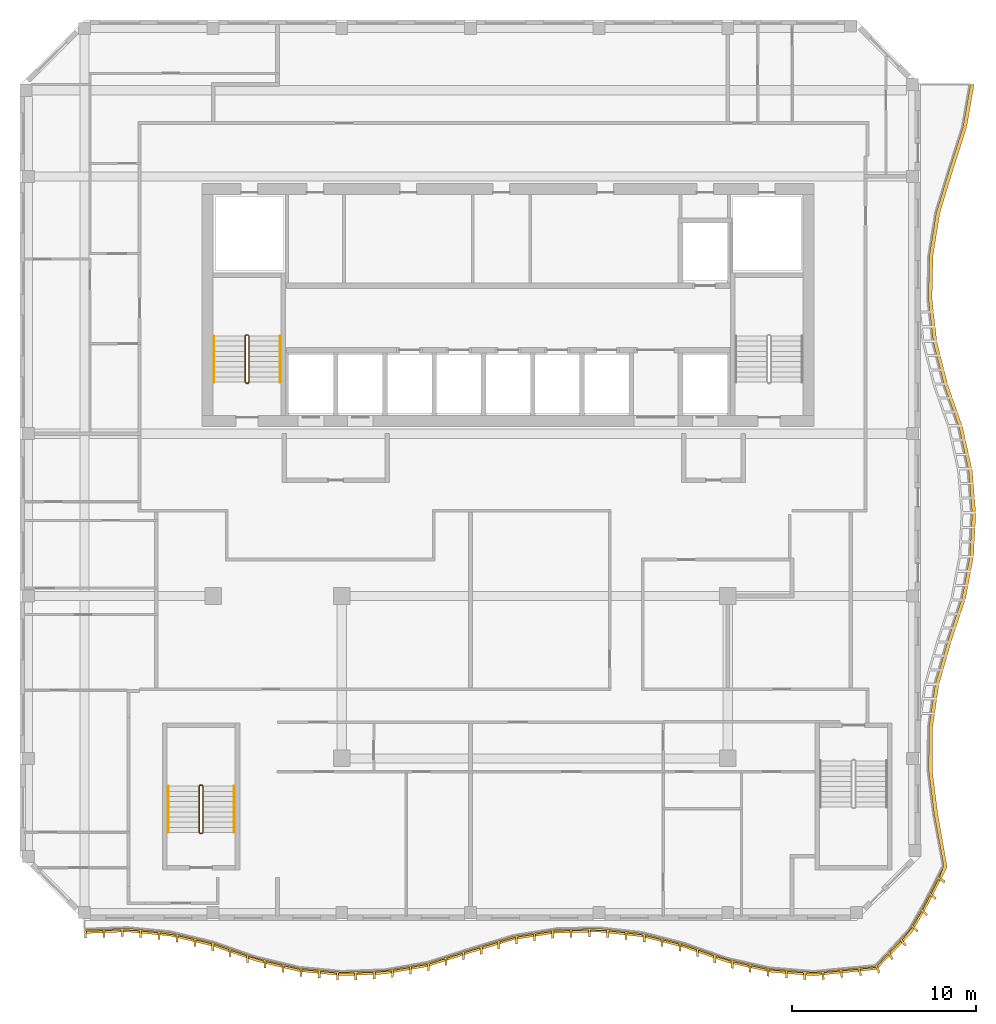
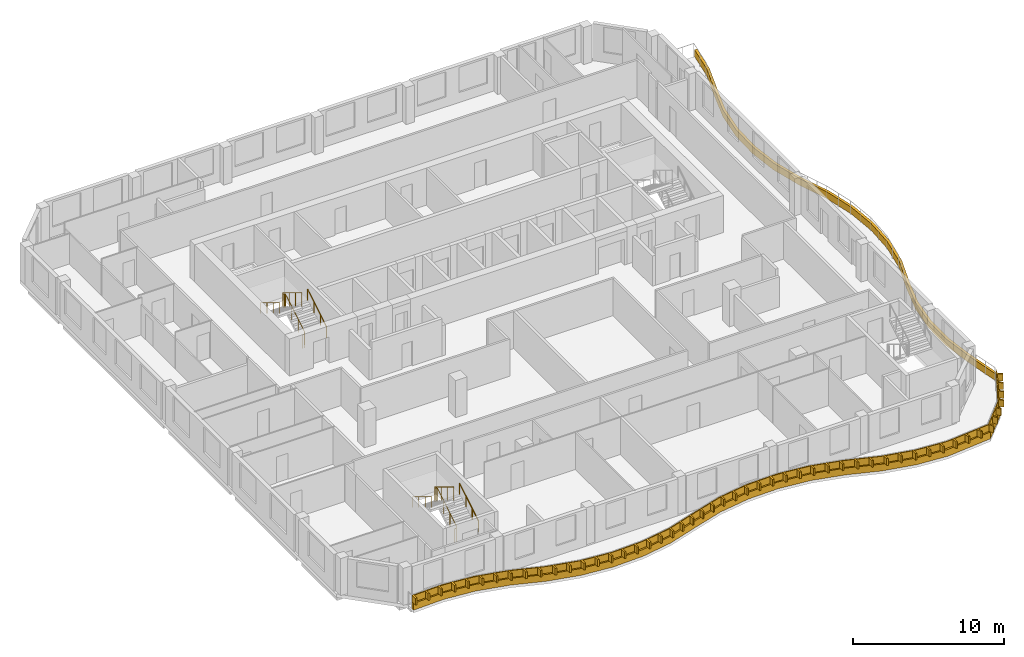
# One storey, part 11 of 13: 6 railings, 2 shading devices.
"""IFC4 building model written with IfcOpenShell, lengths in metres."""

from ifc_helpers import new_model, si_unit, direction, frame, origin, origin_2d, place, context, subcontext, project, spatial, polyline, circle, outline, extrude, source, transform, mapped, material, layer, layer_set, type_object, element, save


model = new_model("IFC4")

# Units and contexts
model_context = context("Model", 3, precision=1e-05, world=origin(), true_north=direction((0.0, 1.0)))
body_context = subcontext(model_context, "Body", "Model", "MODEL_VIEW")
ifc_project = project(units=[si_unit("LENGTHUNIT", "METRE"), si_unit("AREAUNIT", "SQUARE_METRE"), si_unit("VOLUMEUNIT", "CUBIC_METRE"), si_unit("PLANEANGLEUNIT", "RADIAN"), si_unit("MASSUNIT", "GRAM", prefix="KILO")], contexts=[model_context])

# Site, building, storey
site_placement = place(None, origin())
site = spatial("IfcSite", under=ifc_project, at=site_placement, CompositionType="ELEMENT")
building_placement = place(site_placement, origin())
building = spatial("IfcBuilding", under=site, at=building_placement, Name="Kilnfold Tower and Market Hall", CompositionType="ELEMENT")
storey_placement = place(building_placement, frame((0.0, 0.0, 287.39990234375)))
storey = spatial("IfcBuildingStorey", under=building, at=storey_placement, Name="L71", CompositionType="ELEMENT", Elevation=287.39990234375)

# Railings
ifc_material_1 = material(Name="Stainless steel 316", Category="steel")
railing_type_1 = type_object("IfcRailingType", Name="CORE STAIR GUARD 1100", PredefinedType="GUARDRAIL", material=ifc_material_1)
railing_1_placement = place(storey_placement, frame((-13.199951171875, 10.75, 0.0)))
element("IfcRailing", 1, at=railing_1_placement, inside=storey, type_object=railing_type_1, Name="L71 ST1 stair guard 1", PredefinedType="GUARDRAIL", context=body_context, shape_type="SweptSolid", body=[
    extrude(circle(Radius=0.02392578125, at=origin_2d()), frame((0.0, 0.0, 1.076171875), z_axis=(1.0, 0.0, 0.0), x_axis=(0.0, 1.0, 0.0)), (0.0, 0.0, 1.0), 0.099853515625),
    extrude(circle(Radius=0.02392578125, at=origin_2d()), frame((0.099853515625, 0.0, 1.076171875), z_axis=(0.271562723297, 0.271562723297, 0.923313259209), x_axis=(-0.707106781187, 0.707106781187, 0.0)), (0.0, 0.0, 1.0), 0.184326171875),
    extrude(circle(Radius=0.02392578125, at=origin_2d()), frame((0.14990234375, 0.050048828125, 1.24609375), z_axis=(0.0, 0.85478489116, 0.518982456201), x_axis=(-1.0, 0.0, 0.0)), (0.0, 0.0, 1.0), 2.9482421875),
    extrude(circle(Radius=0.02392578125, at=origin_2d()), frame((0.14990234375, 2.570068359375, 2.7763671875), z_axis=(-0.707106781187, 0.707106781187, 0.0), x_axis=(-0.707106781187, -0.707106781187, 0.0)), (0.0, 0.0, 1.0), 0.07080078125),
    extrude(circle(Radius=0.02392578125, at=origin_2d()), frame((0.099853515625, 2.6201171875, 2.7763671875), z_axis=(-1.0, 0.0, 0.0), x_axis=(0.0, -1.0, 0.0)), (0.0, 0.0, 1.0), 0.099853515625),
    extrude(circle(Radius=0.02392578125, at=origin_2d()), frame((0.0, 2.6201171875, 2.7763671875), z_axis=(-0.271895245746, -0.271895245746, 0.923117517265), x_axis=(0.707106781187, -0.707106781187, 0.0)), (0.0, 0.0, 1.0), 0.18408203125),
    extrude(circle(Radius=0.02392578125, at=origin_2d()), frame((-0.050048828125, 2.570068359375, 2.9462890625), z_axis=(0.0, -0.85478489116, 0.518982456201), x_axis=(1.0, 0.0, 0.0)), (0.0, 0.0, 1.0), 2.9482421875),
    extrude(circle(Radius=0.02099609375, at=origin_2d()), origin(), (0.0, 0.0, 1.0), 1.052001953125),
    extrude(circle(Radius=0.02099609375, at=origin_2d()), frame((0.099853515625, 0.0, 0.0)), (0.0, 0.0, 1.0), 1.052001953125),
    extrude(circle(Radius=0.02099609375, at=origin_2d()), frame((0.14990234375, 0.050048828125, 0.170166015625)), (0.0, 0.0, 1.0), 1.052001953125),
    extrude(circle(Radius=0.02099609375, at=origin_2d()), frame((0.14990234375, 0.89013671875, 0.68017578125)), (0.0, 0.0, 1.0), 1.052001953125),
    extrude(circle(Radius=0.02099609375, at=origin_2d()), frame((0.14990234375, 1.72998046875, 1.190185546875)), (0.0, 0.0, 1.0), 1.052001953125),
    extrude(circle(Radius=0.02099609375, at=origin_2d()), frame((0.14990234375, 2.570068359375, 1.7001953125)), (0.0, 0.0, 1.0), 1.052001953125),
    extrude(circle(Radius=0.02099609375, at=origin_2d()), frame((0.099853515625, 2.6201171875, 1.7001953125)), (0.0, 0.0, 1.0), 1.052001953125),
    extrude(circle(Radius=0.02099609375, at=origin_2d()), frame((0.0, 2.6201171875, 1.7001953125)), (0.0, 0.0, 1.0), 1.052001953125),
    extrude(circle(Radius=0.02099609375, at=origin_2d()), frame((-0.050048828125, 2.570068359375, 1.8701171875)), (0.0, 0.0, 1.0), 1.052001953125),
    extrude(circle(Radius=0.02099609375, at=origin_2d()), frame((-0.050048828125, 1.72998046875, 2.380126953125)), (0.0, 0.0, 1.0), 1.052001953125),
    extrude(circle(Radius=0.02099609375, at=origin_2d()), frame((-0.050048828125, 0.89013671875, 2.89013671875)), (0.0, 0.0, 1.0), 1.052001953125),
    extrude(circle(Radius=0.02099609375, at=origin_2d()), frame((-0.050048828125, 0.050048828125, 3.400146484375)), (0.0, 0.0, 1.0), 1.052001953125),
])
railing_2_placement = place(storey_placement, frame((-15.699951171875, -13.75, 0.0)))
element("IfcRailing", 2, at=railing_2_placement, inside=storey, type_object=railing_type_1, Name="L71 ST3 stair guard 1", PredefinedType="GUARDRAIL", context=body_context, shape_type="SweptSolid", body=[
    extrude(circle(Radius=0.02392578125, at=origin_2d()), frame((0.0, 0.0, 1.076171875), z_axis=(1.0, 0.0, 0.0), x_axis=(0.0, 1.0, 0.0)), (0.0, 0.0, 1.0), 0.099853515625),
    extrude(circle(Radius=0.02392578125, at=origin_2d()), frame((0.099853515625, 0.0, 1.076171875), z_axis=(0.271562723297, 0.271562723297, 0.923313259209), x_axis=(-0.707106781187, 0.707106781187, 0.0)), (0.0, 0.0, 1.0), 0.184326171875),
    extrude(circle(Radius=0.02392578125, at=origin_2d()), frame((0.14990234375, 0.050048828125, 1.24609375), z_axis=(0.0, 0.85478489116, 0.518982456201), x_axis=(-1.0, 0.0, 0.0)), (0.0, 0.0, 1.0), 2.9482421875),
    extrude(circle(Radius=0.02392578125, at=origin_2d()), frame((0.14990234375, 2.570068359375, 2.7763671875), z_axis=(-0.707106781187, 0.707106781187, 0.0), x_axis=(-0.707106781187, -0.707106781187, 0.0)), (0.0, 0.0, 1.0), 0.07080078125),
    extrude(circle(Radius=0.02392578125, at=origin_2d()), frame((0.099853515625, 2.6201171875, 2.7763671875), z_axis=(-1.0, 0.0, 0.0), x_axis=(0.0, -1.0, 0.0)), (0.0, 0.0, 1.0), 0.099853515625),
    extrude(circle(Radius=0.02392578125, at=origin_2d()), frame((0.0, 2.6201171875, 2.7763671875), z_axis=(-0.271895245746, -0.271895245746, 0.923117517265), x_axis=(0.707106781187, -0.707106781187, 0.0)), (0.0, 0.0, 1.0), 0.18408203125),
    extrude(circle(Radius=0.02392578125, at=origin_2d()), frame((-0.050048828125, 2.570068359375, 2.9462890625), z_axis=(0.0, -0.85478489116, 0.518982456201), x_axis=(1.0, 0.0, 0.0)), (0.0, 0.0, 1.0), 2.9482421875),
    extrude(circle(Radius=0.02099609375, at=origin_2d()), origin(), (0.0, 0.0, 1.0), 1.052001953125),
    extrude(circle(Radius=0.02099609375, at=origin_2d()), frame((0.099853515625, 0.0, 0.0)), (0.0, 0.0, 1.0), 1.052001953125),
    extrude(circle(Radius=0.02099609375, at=origin_2d()), frame((0.14990234375, 0.050048828125, 0.170166015625)), (0.0, 0.0, 1.0), 1.052001953125),
    extrude(circle(Radius=0.02099609375, at=origin_2d()), frame((0.14990234375, 0.89013671875, 0.68017578125)), (0.0, 0.0, 1.0), 1.052001953125),
    extrude(circle(Radius=0.02099609375, at=origin_2d()), frame((0.14990234375, 1.72998046875, 1.190185546875)), (0.0, 0.0, 1.0), 1.052001953125),
    extrude(circle(Radius=0.02099609375, at=origin_2d()), frame((0.14990234375, 2.570068359375, 1.7001953125)), (0.0, 0.0, 1.0), 1.052001953125),
    extrude(circle(Radius=0.02099609375, at=origin_2d()), frame((0.099853515625, 2.6201171875, 1.7001953125)), (0.0, 0.0, 1.0), 1.052001953125),
    extrude(circle(Radius=0.02099609375, at=origin_2d()), frame((0.0, 2.6201171875, 1.7001953125)), (0.0, 0.0, 1.0), 1.052001953125),
    extrude(circle(Radius=0.02099609375, at=origin_2d()), frame((-0.050048828125, 2.570068359375, 1.8701171875)), (0.0, 0.0, 1.0), 1.052001953125),
    extrude(circle(Radius=0.02099609375, at=origin_2d()), frame((-0.050048828125, 1.72998046875, 2.380126953125)), (0.0, 0.0, 1.0), 1.052001953125),
    extrude(circle(Radius=0.02099609375, at=origin_2d()), frame((-0.050048828125, 0.89013671875, 2.89013671875)), (0.0, 0.0, 1.0), 1.052001953125),
    extrude(circle(Radius=0.02099609375, at=origin_2d()), frame((-0.050048828125, 0.050048828125, 3.400146484375)), (0.0, 0.0, 1.0), 1.052001953125),
])
ifc_material_2 = material(Name="Stainless steel 316", Category="steel")
railing_type_2 = type_object("IfcRailingType", Name="CORE STAIR HANDRAIL 900", PredefinedType="HANDRAIL", material=ifc_material_2)
railing_3_placement = place(storey_placement, frame((-11.35009765625, 10.800048828125, 0.170166015625)))
element("IfcRailing", 3, at=railing_3_placement, inside=storey, type_object=railing_type_2, Name="L71 ST1 stair handrail 1", PredefinedType="HANDRAIL", context=body_context, shape_type="SweptSolid", body=[
    extrude(circle(Radius=0.02392578125, at=origin_2d()), frame((0.0, 0.0, 0.8759765625), z_axis=(0.0, 0.85478489116, 0.518982456201), x_axis=(-1.0, 0.0, 0.0)), (0.0, 0.0, 1.0), 2.9482421875),
    extrude(circle(Radius=0.02099609375, at=origin_2d()), origin(), (0.0, 0.0, 1.0), 0.851806640625),
    extrude(circle(Radius=0.02099609375, at=origin_2d()), frame((0.0, 0.840087890625, 0.510009765625)), (0.0, 0.0, 1.0), 0.851806640625),
    extrude(circle(Radius=0.02099609375, at=origin_2d()), frame((0.0, 1.679931640625, 1.02001953125)), (0.0, 0.0, 1.0), 0.851806640625),
    extrude(circle(Radius=0.02099609375, at=origin_2d()), frame((0.0, 2.52001953125, 1.530029296875)), (0.0, 0.0, 1.0), 0.851806640625),
])
railing_4_placement = place(storey_placement, frame((-14.949951171875, 13.320068359375, 1.8701171875)))
element("IfcRailing", 4, at=railing_4_placement, inside=storey, type_object=railing_type_2, Name="L71 ST1 stair handrail 2", PredefinedType="HANDRAIL", context=body_context, shape_type="SweptSolid", body=[
    extrude(circle(Radius=0.02392578125, at=origin_2d()), frame((0.0, 0.0, 0.8759765625), z_axis=(0.0, -0.85478489116, 0.518982456201), x_axis=(1.0, 0.0, 0.0)), (0.0, 0.0, 1.0), 2.9482421875),
    extrude(circle(Radius=0.02099609375, at=origin_2d()), origin(), (0.0, 0.0, 1.0), 0.851806640625),
    extrude(circle(Radius=0.02099609375, at=origin_2d()), frame((0.0, -0.840087890625, 0.510009765625)), (0.0, 0.0, 1.0), 0.851806640625),
    extrude(circle(Radius=0.02099609375, at=origin_2d()), frame((0.0, -1.679931640625, 1.02001953125)), (0.0, 0.0, 1.0), 0.851806640625),
    extrude(circle(Radius=0.02099609375, at=origin_2d()), frame((0.0, -2.52001953125, 1.530029296875)), (0.0, 0.0, 1.0), 0.851806640625),
])
railing_5_placement = place(storey_placement, frame((-13.85009765625, -13.699951171875, 0.170166015625)))
element("IfcRailing", 5, at=railing_5_placement, inside=storey, type_object=railing_type_2, Name="L71 ST3 stair handrail 1", PredefinedType="HANDRAIL", context=body_context, shape_type="SweptSolid", body=[
    extrude(circle(Radius=0.02392578125, at=origin_2d()), frame((0.0, 0.0, 0.8759765625), z_axis=(0.0, 0.85478489116, 0.518982456201), x_axis=(-1.0, 0.0, 0.0)), (0.0, 0.0, 1.0), 2.9482421875),
    extrude(circle(Radius=0.02099609375, at=origin_2d()), origin(), (0.0, 0.0, 1.0), 0.851806640625),
    extrude(circle(Radius=0.02099609375, at=origin_2d()), frame((0.0, 0.840087890625, 0.510009765625)), (0.0, 0.0, 1.0), 0.851806640625),
    extrude(circle(Radius=0.02099609375, at=origin_2d()), frame((0.0, 1.679931640625, 1.02001953125)), (0.0, 0.0, 1.0), 0.851806640625),
    extrude(circle(Radius=0.02099609375, at=origin_2d()), frame((0.0, 2.52001953125, 1.530029296875)), (0.0, 0.0, 1.0), 0.851806640625),
])
railing_6_placement = place(storey_placement, frame((-17.449951171875, -11.179931640625, 1.8701171875)))
element("IfcRailing", 6, at=railing_6_placement, inside=storey, type_object=railing_type_2, Name="L71 ST3 stair handrail 2", PredefinedType="HANDRAIL", context=body_context, shape_type="SweptSolid", body=[
    extrude(circle(Radius=0.02392578125, at=origin_2d()), frame((0.0, 0.0, 0.8759765625), z_axis=(0.0, -0.85478489116, 0.518982456201), x_axis=(1.0, 0.0, 0.0)), (0.0, 0.0, 1.0), 2.9482421875),
    extrude(circle(Radius=0.02099609375, at=origin_2d()), origin(), (0.0, 0.0, 1.0), 0.851806640625),
    extrude(circle(Radius=0.02099609375, at=origin_2d()), frame((0.0, -0.840087890625, 0.510009765625)), (0.0, 0.0, 1.0), 0.851806640625),
    extrude(circle(Radius=0.02099609375, at=origin_2d()), frame((0.0, -1.679931640625, 1.02001953125)), (0.0, 0.0, 1.0), 0.851806640625),
    extrude(circle(Radius=0.02099609375, at=origin_2d()), frame((0.0, -2.52001953125, 1.530029296875)), (0.0, 0.0, 1.0), 0.851806640625),
])

# Shading devices
ifc_material_3 = material(Name="Precast concrete C50/60", Category="concrete")
ifc_layer_1 = layer(ifc_material_3, 0.550048828125)
ifc_layer_set_1 = layer_set([ifc_layer_1], Name="Precast concrete C50/60")
shading_device_type_1 = type_object("IfcShadingDeviceType", Name="BALCONY UPSTAND 550", PredefinedType="USERDEFINED", material=ifc_layer_set_1)
shared_shape_1 = source(origin(), body_context, "Body", "SweptSolid", [
    extrude(outline(polyline([(-22.0, -19.19482421875), (-19.666748046875, -19.107666015625), (-17.333251953125, -19.3349609375), (-15.0, -19.889404296875), (-12.666748046875, -20.709228515625), (-10.333251953125, -21.264404296875), (-8.0, -21.4921875), (-5.666748046875, -21.405517578125), (-3.333251953125, -21.0), (-1.0, -20.251953125), (1.333251953125, -19.541259765625), (3.666748046875, -19.170166015625), (6.0, -19.116943359375), (8.333251953125, -19.378662109375), (10.666748046875, -19.97021484375), (13.0, -20.785888671875), (15.333251953125, -21.304443359375), (17.666748046875, -21.497802734375), (21.10107421875, -21.158203125), (23.0048828125, -19.17138671875), (23.856201171875, -17.689697265625), (24.9384765625, -15.595703125), (24.42724609375, -12.666748046875), (24.13037109375, -10.333251953125), (24.14892578125, -8.0), (24.484375, -5.666748046875), (25.156005859375, -3.333251953125), (25.934814453125, -1.0), (26.376708984375, 1.333251953125), (26.498046875, 3.666748046875), (26.304931640625, 6.0), (25.787109375, 8.333251953125), (24.9716796875, 10.666748046875), (24.37939453125, 13.0), (24.1171875, 15.333251953125), (24.169921875, 17.666748046875), (24.540283203125, 20.0), (25.250244140625, 22.333251953125), (25.998779296875, 24.666748046875), (26.4052734375, 27.0), (26.205078125, 27.0), (25.798828125, 24.666748046875), (25.05029296875, 22.333251953125), (24.34033203125, 20.0), (23.969970703125, 17.666748046875), (23.917236328125, 15.333251953125), (24.179443359375, 13.0), (24.771728515625, 10.666748046875), (25.587158203125, 8.333251953125), (26.10498046875, 6.0), (26.298095703125, 3.666748046875), (26.1767578125, 1.333251953125), (25.73486328125, -1.0), (24.955810546875, -3.333251953125), (24.284423828125, -5.666748046875), (23.948974609375, -8.0), (23.930419921875, -10.333251953125), (24.227294921875, -12.666748046875), (24.753662109375, -15.519287109375), (23.71484375, -17.54833984375), (22.863525390625, -19.030029296875), (21.024658203125, -20.973388671875), (17.666748046875, -21.2978515625), (15.333251953125, -21.1044921875), (13.0, -20.5859375), (10.666748046875, -19.770263671875), (8.333251953125, -19.1787109375), (6.0, -18.9169921875), (3.666748046875, -18.97021484375), (1.333251953125, -19.34130859375), (-1.0, -20.052001953125), (-3.333251953125, -20.7998046875), (-5.666748046875, -21.20556640625), (-8.0, -21.292236328125), (-10.333251953125, -21.064208984375), (-12.666748046875, -20.50927734375), (-15.0, -19.689453125), (-17.333251953125, -19.135009765625), (-19.666748046875, -18.90771484375), (-22.0, -18.994873046875), (-22.0, -19.19482421875)])), origin(), (0.0, 0.0, 1.0), 0.550048828125),
])
shading_device_1_placement = place(storey_placement, origin())
element("IfcShadingDevice", 7, at=shading_device_1_placement, inside=storey, type_object=shading_device_type_1, Name="Balcony fascia L71", ObjectType="FASCIA", PredefinedType="USERDEFINED", context=body_context, shape_type="MappedRepresentation", body=[
    mapped(shared_shape_1, transform((0.0, 0.0, 0.0))),
])
ifc_material_4 = material(Name="Bronze anodised aluminium", Category="aluminium")
ifc_layer_2 = layer(ifc_material_4, 0.550048828125)
ifc_layer_set_2 = layer_set([ifc_layer_2], Name="Bronze anodised aluminium")
shading_device_type_2 = type_object("IfcShadingDeviceType", Name="BRONZE SLAT FASCIA 550", PredefinedType="USERDEFINED", material=ifc_layer_set_2)
shared_shape_2 = source(origin(), body_context, "Body", "SweptSolid", [
    extrude(outline(polyline([(-22.0, -19.44482421875), (-22.0, -18.994873046875), (-19.666748046875, -18.90771484375), (-17.333251953125, -19.135009765625), (-15.0, -19.689453125), (-12.666748046875, -20.50927734375), (-10.333251953125, -21.064208984375), (-8.0, -21.292236328125), (-5.666748046875, -21.20556640625), (-3.333251953125, -20.7998046875), (-1.0, -20.052001953125), (1.333251953125, -19.34130859375), (3.666748046875, -18.97021484375), (6.0, -18.9169921875), (8.333251953125, -19.1787109375), (10.666748046875, -19.770263671875), (13.0, -20.5859375), (15.333251953125, -21.1044921875), (17.666748046875, -21.2978515625), (21.024658203125, -20.973388671875), (22.863525390625, -19.030029296875), (23.71484375, -17.54833984375), (24.70849609375, -15.607421875), (24.5166015625, -16.15087890625), (24.836669921875, -16.32861328125), (24.77880859375, -16.439208984375), (24.462646484375, -16.25537109375), (24.068603515625, -17.0224609375), (24.3544921875, -17.251220703125), (24.296630859375, -17.362060546875), (24.01513671875, -17.127197265625), (23.60546875, -17.893798828125), (23.866943359375, -18.155517578125), (23.80712890625, -18.259521484375), (23.545654296875, -17.997802734375), (23.107177734375, -18.760986328125), (23.368896484375, -19.022705078125), (23.30908203125, -19.126708984375), (23.04736328125, -18.864990234375), (22.495849609375, -19.5302734375), (22.731201171875, -19.811279296875), (22.644775390625, -19.900390625), (22.414306640625, -19.615478515625), (21.818115234375, -20.2421875), (22.010009765625, -20.552978515625), (21.92333984375, -20.64208984375), (21.73681640625, -20.327880859375), (21.141357421875, -20.956298828125), (21.28857421875, -21.294921875), (21.2021484375, -21.3837890625), (21.06005859375, -21.042236328125), (20.197998046875, -21.12939453125), (20.30419921875, -21.47998046875), (20.181396484375, -21.492431640625), (20.080078125, -21.140625), (19.216064453125, -21.224609375), (19.28125, -21.583984375), (19.158447265625, -21.596435546875), (19.098388671875, -21.236083984375), (18.234619140625, -21.3212890625), (18.25830078125, -21.687744140625), (18.1357421875, -21.7001953125), (18.11669921875, -21.3330078125), (17.24658203125, -21.343017578125), (17.24658203125, -21.713134765625), (17.126953125, -21.703125), (17.126953125, -21.3330078125), (16.25, -21.260498046875), (16.25, -21.63037109375), (16.130615234375, -21.62060546875), (16.130615234375, -21.25048828125), (15.255126953125, -21.1669921875), (15.255126953125, -21.537109375), (15.137939453125, -21.510986328125), (15.137939453125, -21.14111328125), (14.27880859375, -20.9501953125), (14.27880859375, -21.320068359375), (14.161865234375, -21.294189453125), (14.161865234375, -20.924072265625), (13.302734375, -20.733154296875), (13.302734375, -21.103271484375), (13.185546875, -21.0771484375), (13.185546875, -20.70703125), (12.3486328125, -20.438232421875), (12.3486328125, -20.808349609375), (12.235595703125, -20.768798828125), (12.235595703125, -20.398681640625), (11.40478515625, -20.1083984375), (11.40478515625, -20.478271484375), (11.29150390625, -20.438720703125), (11.29150390625, -20.068603515625), (10.455078125, -19.796630859375), (10.455078125, -20.166748046875), (10.3388671875, -20.13720703125), (10.3388671875, -19.76708984375), (9.48583984375, -19.55078125), (9.48583984375, -19.9208984375), (9.36962890625, -19.891357421875), (9.36962890625, -19.521484375), (8.5166015625, -19.30517578125), (8.5166015625, -19.67529296875), (8.400390625, -19.645751953125), (8.400390625, -19.275634765625), (7.52734375, -19.168212890625), (7.52734375, -19.538330078125), (7.408203125, -19.52490234375), (7.408203125, -19.15478515625), (6.53369140625, -19.056884765625), (6.53369140625, -19.427001953125), (6.414306640625, -19.41357421875), (6.414306640625, -19.04345703125), (5.537109375, -19.007568359375), (5.537109375, -19.377685546875), (5.417236328125, -19.38037109375), (5.417236328125, -19.01025390625), (4.537353515625, -19.0302734375), (4.537353515625, -19.400390625), (4.41748046875, -19.403076171875), (4.41748046875, -19.033203125), (3.539306640625, -19.070556640625), (3.539306640625, -19.4404296875), (3.420654296875, -19.459228515625), (3.420654296875, -19.08935546875), (2.551513671875, -19.2275390625), (2.551513671875, -19.597412109375), (2.43310546875, -19.616455078125), (2.43310546875, -19.246337890625), (1.56396484375, -19.384521484375), (1.56396484375, -19.754638671875), (1.445556640625, -19.7734375), (1.445556640625, -19.403564453125), (0.60009765625, -19.64453125), (0.60009765625, -20.0146484375), (0.4853515625, -20.049560546875), (0.4853515625, -19.6796875), (-0.3564453125, -19.93603515625), (-0.3564453125, -20.305908203125), (-0.47119140625, -20.3408203125), (-0.47119140625, -19.970947265625), (-1.3115234375, -20.23193359375), (-1.3115234375, -20.601806640625), (-1.42578125, -20.638427734375), (-1.42578125, -20.2685546875), (-2.263916015625, -20.537109375), (-2.263916015625, -20.906982421875), (-2.378173828125, -20.943603515625), (-2.378173828125, -20.57373046875), (-3.21630859375, -20.84228515625), (-3.21630859375, -21.21240234375), (-3.330322265625, -21.2490234375), (-3.330322265625, -20.87890625), (-4.197265625, -21.030029296875), (-4.197265625, -21.400146484375), (-4.315673828125, -21.420654296875), (-4.315673828125, -21.05078125), (-5.1826171875, -21.201416015625), (-5.1826171875, -21.5712890625), (-5.30078125, -21.592041015625), (-5.30078125, -21.221923828125), (-6.1748046875, -21.304443359375), (-6.1748046875, -21.674560546875), (-6.294921875, -21.678955078125), (-6.294921875, -21.308837890625), (-7.17431640625, -21.341552734375), (-7.17431640625, -21.711669921875), (-7.294189453125, -21.716064453125), (-7.294189453125, -21.345947265625), (-8.1728515625, -21.355224609375), (-8.1728515625, -21.725341796875), (-8.292236328125, -21.713623046875), (-8.292236328125, -21.34375), (-9.168212890625, -21.258056640625), (-9.168212890625, -21.628173828125), (-9.28759765625, -21.616455078125), (-9.28759765625, -21.246337890625), (-10.163330078125, -21.160888671875), (-10.163330078125, -21.531005859375), (-10.28271484375, -21.519287109375), (-10.28271484375, -21.149169921875), (-11.14013671875, -20.952392578125), (-11.14013671875, -21.322509765625), (-11.2568359375, -21.294677734375), (-11.2568359375, -20.924560546875), (-12.11279296875, -20.720947265625), (-12.11279296875, -21.0908203125), (-12.229736328125, -21.063232421875), (-12.229736328125, -20.693115234375), (-13.072998046875, -20.4462890625), (-13.072998046875, -20.81640625), (-13.186279296875, -20.776611328125), (-13.186279296875, -20.40673828125), (-14.0166015625, -20.114990234375), (-14.0166015625, -20.485107421875), (-14.1298828125, -20.4453125), (-14.1298828125, -20.0751953125), (-14.960205078125, -19.783447265625), (-14.960205078125, -20.153564453125), (-15.07568359375, -20.12158203125), (-15.07568359375, -19.75146484375), (-15.931640625, -19.548095703125), (-15.931640625, -19.91796875), (-16.048583984375, -19.890380859375), (-16.048583984375, -19.520263671875), (-16.904541015625, -19.31689453125), (-16.904541015625, -19.686767578125), (-17.021484375, -19.658935546875), (-17.021484375, -19.2890625), (-17.889892578125, -19.16064453125), (-17.889892578125, -19.53076171875), (-18.009521484375, -19.51904296875), (-18.009521484375, -19.149169921875), (-18.88525390625, -19.063720703125), (-18.88525390625, -19.433837890625), (-19.0048828125, -19.422119140625), (-19.0048828125, -19.05224609375), (-19.881591796875, -18.99560546875), (-19.881591796875, -19.36572265625), (-20.00146484375, -19.3701171875), (-20.00146484375, -19.000244140625), (-20.880859375, -19.032958984375), (-20.880859375, -19.403076171875), (-21.000732421875, -19.407470703125), (-21.000732421875, -19.03759765625), (-21.880126953125, -19.0703125), (-21.880126953125, -19.440185546875), (-22.0, -19.44482421875)])), origin(), (0.0, 0.0, 1.0), 0.550048828125),
])
shading_device_2_placement = place(storey_placement, frame((0.0, 0.0, 0.550048828125)))
element("IfcShadingDevice", 8, at=shading_device_2_placement, inside=storey, type_object=shading_device_type_2, Name="Balcony slat fascia L71", ObjectType="SLAT", PredefinedType="USERDEFINED", context=body_context, shape_type="MappedRepresentation", body=[
    mapped(shared_shape_2, transform((0.0, 0.0, 0.0))),
])

save(model, "model.ifc")
